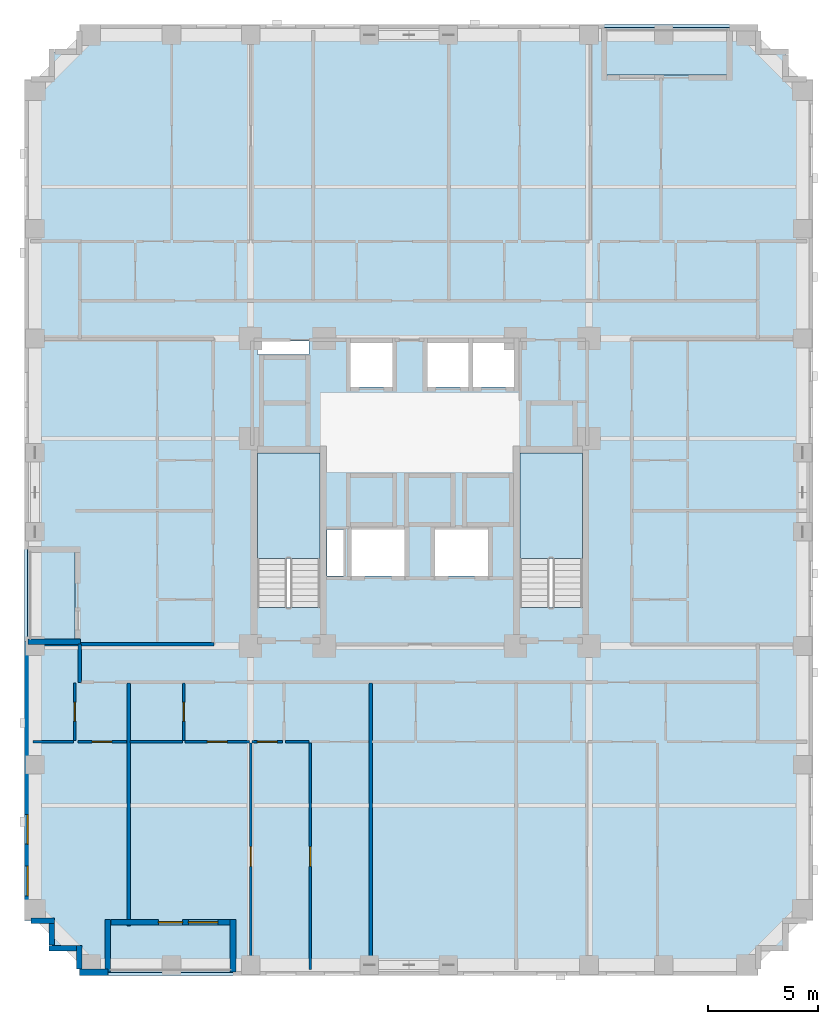
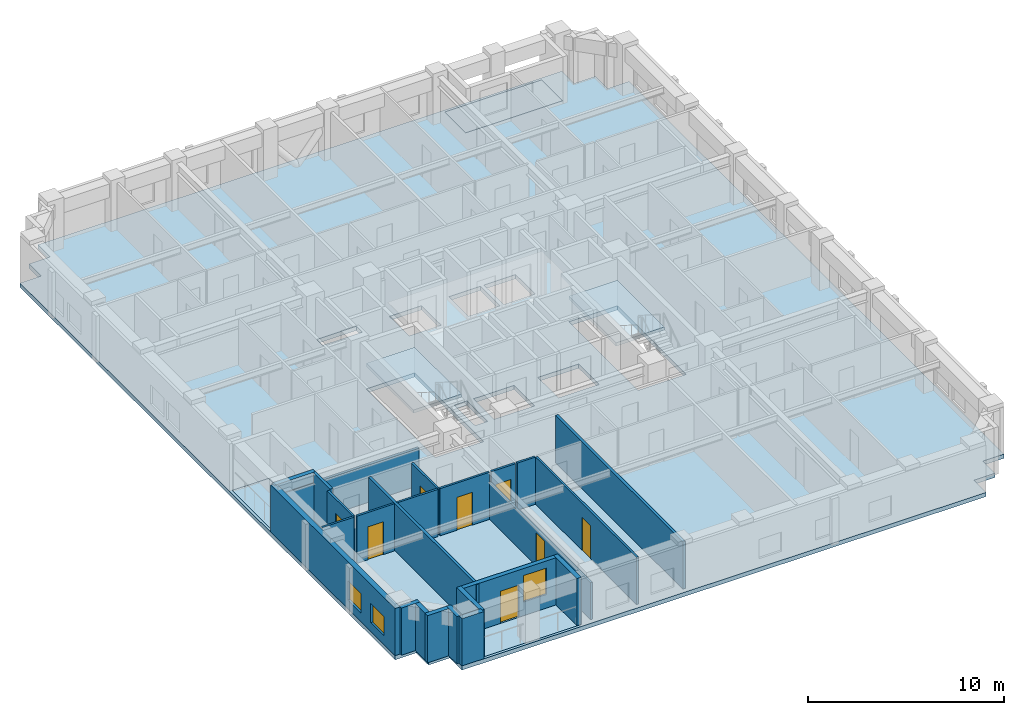
# One storey, part 2 of 12: 24 walls, 8 doors, 6 slabs, 3 windows, 11 openings, 2 elements without a shape of their own.
"""IFC4 building model written with IfcOpenShell, lengths in metres."""

from ifc_helpers import new_model, si_unit, derived_unit, direction, frame, frame_2d, origin, place, context, subcontext, project, spatial, polyline, rectangle, outline, extrude, material, layer, layer_set, type_object, element, fill, aggregate, save


model = new_model("IFC4")

# Units and contexts
model_context = context("Model", 3, precision=1e-05, world=origin(), true_north=direction((0.0, 1.0)))
body_context = subcontext(model_context, "Body", "Model", "MODEL_VIEW")
ifc_project = project(units=[si_unit("LENGTHUNIT", "METRE"), si_unit("AREAUNIT", "SQUARE_METRE"), si_unit("VOLUMEUNIT", "CUBIC_METRE"), si_unit("PLANEANGLEUNIT", "RADIAN"), si_unit("MASSUNIT", "GRAM", prefix="KILO"), derived_unit("THERMALTRANSMITTANCEUNIT", [(si_unit("MASSUNIT", "GRAM", prefix="KILO"), 1), (si_unit("TIMEUNIT", "SECOND"), -3), (si_unit("THERMODYNAMICTEMPERATUREUNIT", "KELVIN"), -1)])], contexts=[model_context])

# Site, building, storey
site_placement = place(None, origin())
site = spatial("IfcSite", under=ifc_project, at=site_placement, CompositionType="ELEMENT")
building_placement = place(site_placement, origin())
building = spatial("IfcBuilding", under=site, at=building_placement, Name="Korrvale Station Residences", CompositionType="ELEMENT")
storey_placement = place(building_placement, frame((0.0, 0.0, 91.10009765625)))
storey = spatial("IfcBuildingStorey", under=building, at=storey_placement, Name="L25", CompositionType="ELEMENT", Elevation=91.10009765625)

# Slabs
ifc_material_1 = material(Name="Concrete C50/60", Category="concrete")
ifc_layer_1 = layer(ifc_material_1, 0.219970703125, Name="Concrete C50/60")
ifc_layer_set_1 = layer_set([ifc_layer_1], Name="Concrete C50/60")
slab_type_1 = type_object("IfcSlabType", Name="SLB-BAL-220", PredefinedType="FLOOR", material=ifc_layer_set_1)
slab_1_placement = place(storey_placement, frame((0.0, 0.0, -0.22021484375)))
element("IfcSlab", 1, at=slab_1_placement, inside=storey, type_object=slab_type_1, Name="L25 Recessed Loggia Balcony Slab BAL-L25-S1", PredefinedType="FLOOR", context=body_context, shape_type="SweptSolid", body=[
    extrude(outline(polyline([(11.300048828125, 0.14990234375), (17.0, 0.14990234375), (17.0, 2.300048828125), (11.300048828125, 2.300048828125), (11.300048828125, 0.14990234375)])), origin(), (0.0, 0.0, 1.0), 0.22021484375),
])
slab_2_placement = place(storey_placement, frame((0.0, 0.0, -0.22021484375)))
element("IfcSlab", 2, at=slab_2_placement, inside=storey, type_object=slab_type_1, Name="L25 Recessed Loggia Balcony Slab BAL-L25-N1", PredefinedType="FLOOR", context=body_context, shape_type="SweptSolid", body=[
    extrude(outline(polyline([(33.89990234375, 41.0), (39.60009765625, 41.0), (39.60009765625, 43.14990234375), (33.89990234375, 43.14990234375), (33.89990234375, 41.0)])), origin(), (0.0, 0.0, 1.0), 0.22021484375),
])
slab_3_placement = place(storey_placement, frame((0.0, 0.0, -0.22021484375)))
element("IfcSlab", 3, at=slab_3_placement, inside=storey, type_object=slab_type_1, Name="L25 Recessed Loggia Balcony Slab BAL-L25-W1", PredefinedType="FLOOR", context=body_context, shape_type="SweptSolid", body=[
    extrude(outline(polyline([(7.64990234375, 15.199951171875), (9.800048828125, 15.199951171875), (9.800048828125, 19.39990234375), (7.64990234375, 19.39990234375), (7.64990234375, 15.199951171875)])), origin(), (0.0, 0.0, 1.0), 0.22021484375),
])
ifc_layer_2 = layer(ifc_material_1, 0.260009765625, Name="Concrete C50/60")
ifc_layer_set_2 = layer_set([ifc_layer_2], Name="Concrete C50/60")
slab_type_2 = type_object("IfcSlabType", Name="SLB-FLR-260", PredefinedType="FLOOR", material=ifc_layer_set_2)
slab_4_placement = place(storey_placement, frame((0.0, 0.0, -0.260009765625)))
element("IfcSlab", 4, at=slab_4_placement, inside=storey, type_object=slab_type_2, Name="L25 Suspended Structural Floor Slab", PredefinedType="FLOOR", context=body_context, shape_type="SweptSolid", body=[
    extrude(outline(polyline([(10.0, 0.0), (40.89990234375, 0.0), (40.89990234375, 1.25), (42.14990234375, 1.25), (42.14990234375, 2.5), (43.39990234375, 2.5), (43.39990234375, 40.800048828125), (42.14990234375, 40.800048828125), (42.14990234375, 42.050048828125), (40.89990234375, 42.050048828125), (40.89990234375, 43.300048828125), (10.0, 43.300048828125), (10.0, 42.050048828125), (8.75, 42.050048828125), (8.75, 40.800048828125), (7.5, 40.800048828125), (7.5, 2.5), (8.75, 2.5), (8.75, 1.25), (10.0, 1.25), (10.0, 0.0)]), holes=[polyline([(20.949951171875, 16.751953125), (20.949951171875, 23.800048828125), (18.10009765625, 23.800048828125), (18.10009765625, 16.751953125), (20.949951171875, 16.751953125)]), polyline([(32.89990234375, 16.751953125), (32.89990234375, 23.800048828125), (30.050048828125, 23.800048828125), (30.050048828125, 16.751953125), (32.89990234375, 16.751953125)]), polyline([(22.35009765625, 26.800048828125), (24.25, 26.800048828125), (24.25, 28.800048828125), (22.35009765625, 28.800048828125), (22.35009765625, 26.800048828125)]), polyline([(25.85009765625, 26.800048828125), (27.7099609375, 26.800048828125), (27.7099609375, 28.800048828125), (25.85009765625, 28.800048828125), (25.85009765625, 26.800048828125)]), polyline([(27.929931640625, 26.800048828125), (29.7900390625, 26.800048828125), (29.7900390625, 28.800048828125), (27.929931640625, 28.800048828125), (27.929931640625, 26.800048828125)]), polyline([(22.39990234375, 18.199951171875), (24.800048828125, 18.199951171875), (24.800048828125, 20.300048828125), (22.39990234375, 20.300048828125), (22.39990234375, 18.199951171875)]), polyline([(26.199951171875, 18.199951171875), (28.60009765625, 18.199951171875), (28.60009765625, 20.300048828125), (26.199951171875, 20.300048828125), (26.199951171875, 18.199951171875)]), polyline([(18.10009765625, 28.280029296875), (20.449951171875, 28.280029296875), (20.449951171875, 28.8798828125), (18.10009765625, 28.8798828125), (18.10009765625, 28.280029296875)]), polyline([(21.280029296875, 18.199951171875), (22.02001953125, 18.199951171875), (22.02001953125, 20.300048828125), (21.280029296875, 20.300048828125), (21.280029296875, 18.199951171875)]), polyline([(11.300048828125, 0.14990234375), (17.0, 0.14990234375), (17.0, 2.300048828125), (11.300048828125, 2.300048828125), (11.300048828125, 0.14990234375)]), polyline([(33.89990234375, 41.0), (39.60009765625, 41.0), (39.60009765625, 43.14990234375), (33.89990234375, 43.14990234375), (33.89990234375, 41.0)]), polyline([(7.64990234375, 15.199951171875), (9.800048828125, 15.199951171875), (9.800048828125, 19.39990234375), (7.64990234375, 19.39990234375), (7.64990234375, 15.199951171875)])]), origin(), (0.0, 0.0, 1.0), 0.260009765625),
])

# Stair, slab
stair_type = type_object("IfcStairType", Name="STR-DL-1350-18R-1778", PredefinedType="HALF_TURN_STAIR", material=ifc_material_1)
stair_1_placement = place(storey_placement, origin())
stair_1 = element("IfcStair", 5, at=stair_1_placement, inside=storey, type_object=stair_type, Name="L25 Exit Stair 1", PredefinedType="HALF_TURN_STAIR")
ifc_layer_3 = layer(ifc_material_1, 0.199951171875, Name="Concrete C50/60")
ifc_layer_set_3 = layer_set([ifc_layer_3], Name="Concrete C50/60")
slab_type_3 = type_object("IfcSlabType", Name="SLB-LND-200", PredefinedType="LANDING", material=ifc_layer_set_3)
slab_5_placement = place(storey_placement, frame((0.0, 0.0, 1.39990234375)))
slab_5 = element("IfcSlab", 6, at=slab_5_placement, type_object=slab_type_3, Name="ST-1 landing 1", PredefinedType="LANDING", context=body_context, shape_type="SweptSolid", body=[
    extrude(outline(polyline([(20.949951171875, 18.989990234375), (20.949951171875, 23.800048828125), (18.10009765625, 23.800048828125), (18.10009765625, 18.989990234375), (20.949951171875, 18.989990234375)])), origin(), (0.0, 0.0, 1.0), 0.199951171875),
])
aggregate(stair_1, [slab_5])

stair_2_placement = place(storey_placement, origin())
stair_2 = element("IfcStair", 7, at=stair_2_placement, inside=storey, type_object=stair_type, Name="L25 Exit Stair 2", PredefinedType="HALF_TURN_STAIR")
slab_6_placement = place(storey_placement, frame((0.0, 0.0, 1.39990234375)))
slab_6 = element("IfcSlab", 8, at=slab_6_placement, type_object=slab_type_3, Name="ST-2 landing 1", PredefinedType="LANDING", context=body_context, shape_type="SweptSolid", body=[
    extrude(outline(polyline([(32.89990234375, 18.989990234375), (32.89990234375, 23.800048828125), (30.050048828125, 23.800048828125), (30.050048828125, 18.989990234375), (32.89990234375, 18.989990234375)])), origin(), (0.0, 0.0, 1.0), 0.199951171875),
])
aggregate(stair_2, [slab_6])

# Wall
ifc_material_2 = material(Name="Precast concrete C45/55", Category="concrete")
ifc_layer_4 = layer(ifc_material_2, 0.260009765625, Name="Precast concrete C45/55")
ifc_layer_set_4 = layer_set([ifc_layer_4], Name="Precast concrete C45/55")
wall_type_1 = type_object("IfcWallType", Name="WAL-EXT-LOG260", PredefinedType="SOLIDWALL", material=ifc_layer_set_4)
wall_1_placement = place(storey_placement, frame((17.0, 0.159912109375, 0.0), z_axis=(0.0, 0.0, 1.0), x_axis=(0.0, 1.0, 0.0)))
element("IfcWall", 9, at=wall_1_placement, inside=storey, type_object=wall_type_1, Name="L25 Recessed Loggia Wall BAL-L25-S1-L", PredefinedType="SOLIDWALL", context=body_context, shape_type="SweptSolid", body=[
    extrude(rectangle(XDim=2.400146484375, YDim=0.260009765625, at=frame_2d((1.2001953125, 0.0))), origin(), (0.0, 0.0, 1.0), 2.93994140625),
])

# Wall, openings, door, window
wall_2_placement = place(storey_placement, frame((16.865966796875, 2.429931640625, 0.0), z_axis=(0.0, 0.0, 1.0), x_axis=(-1.0, 0.0, 0.0)))
wall_2 = element("IfcWall", 10, at=wall_2_placement, inside=storey, type_object=wall_type_1, Name="L25 Recessed Loggia Wall BAL-L25-S1-B", PredefinedType="SOLIDWALL", context=body_context, shape_type="SweptSolid", body=[
    extrude(rectangle(XDim=5.431884765625, YDim=0.260009765625, at=frame_2d((2.7158203125, 0.0))), origin(), (0.0, 0.0, 1.0), 2.93994140625),
])
opening_1_placement = place(wall_2_placement, frame((2.166015625, 0.0, 0.0)))
opening_1 = element("IfcOpeningElement", 11, at=opening_1_placement, cuts=wall_2, Name="Opening BD-01", PredefinedType="OPENING", context=body_context, shape_type="SweptSolid", body=[
    extrude(rectangle(XDim=1.10009765625, YDim=2.0, at=frame_2d((0.550048828125, 1.0))), frame((0.0, 0.14013671875, 0.0), z_axis=(0.0, -1.0, 0.0), x_axis=(1.0, 0.0, 0.0)), (0.0, 0.0, 1.0), 0.280029296875),
])
opening_2_placement = place(wall_2_placement, frame((0.555908203125, 0.0, 0.85009765625)))
opening_2 = element("IfcOpeningElement", 12, at=opening_2_placement, cuts=wall_2, Name="Opening W-06", PredefinedType="OPENING", context=body_context, shape_type="SweptSolid", body=[
    extrude(rectangle(XDim=1.35009765625, YDim=1.64990234375, at=frame_2d((0.675048828125, 0.824951171875))), frame((0.0, 0.14013671875, 0.0), z_axis=(0.0, -1.0, 0.0), x_axis=(1.0, 0.0, 0.0)), (0.0, 0.0, 1.0), 0.280029296875),
])
ifc_material_3 = material(Name="Exterior thermally broken aluminium glazed balcony door", Category="aluminium")
door_type_1 = type_object("IfcDoorType", Name="DR-EXT-BAL", OperationType="NOTDEFINED", PredefinedType="DOOR", material=ifc_material_3)
door_1_placement = place(opening_1_placement, origin())
door_1 = element("IfcDoor", 13, at=door_1_placement, inside=storey, type_object=door_type_1, Name="L25 Loggia Balcony Door BAL-L25-S1", OperationType="SINGLE_SWING_LEFT", OverallHeight=2.0, OverallWidth=1.10009765625, PredefinedType="DOOR", context=body_context, shape_type="SweptSolid", body=[
    extrude(rectangle(XDim=1.10009765625, YDim=2.0, at=frame_2d((0.550048828125, 1.0))), frame((0.0, 0.02490234375, 0.0), z_axis=(0.0, -1.0, 0.0), x_axis=(1.0, 0.0, 0.0)), (0.0, 0.0, 1.0), 0.050048828125),
])
fill(opening_1, door_1)
ifc_material_4 = material(Name="Thermally broken aluminium frame with triple low-e glazing", Category="aluminium")
window_type_1 = type_object("IfcWindowType", Name="WIN-W06", PartitioningType="SINGLE_PANEL", PredefinedType="WINDOW", material=ifc_material_4)
window_1_placement = place(opening_2_placement, origin())
window_1 = element("IfcWindow", 14, at=window_1_placement, inside=storey, type_object=window_type_1, Name="L25 Punched Window 03", OverallHeight=1.64990234375, OverallWidth=1.35009765625, PartitioningType="SINGLE_PANEL", PredefinedType="WINDOW", context=body_context, shape_type="SweptSolid", body=[
    extrude(rectangle(XDim=1.35009765625, YDim=1.64990234375, at=frame_2d((0.675048828125, 0.824951171875))), frame((0.0, 0.030029296875, 0.0), z_axis=(0.0, -1.0, 0.0), x_axis=(1.0, 0.0, 0.0)), (0.0, 0.0, 1.0), 0.06005859375),
])
fill(opening_2, window_1)

# Walls
for number, where, z_axis, x_axis, name in (
    (15, (11.300048828125, 2.56005859375, 0.0), (0.0, 0.0, 1.0), (0.0, -1.0, 0.0), "L25 Recessed Loggia Wall BAL-L25-S1-R"),
    (16, (7.659912109375, 15.199951171875, 0.0), (0.0, 0.0, 1.0), (1.0, 0.0, 0.0), "L25 Recessed Loggia Wall BAL-L25-W1-L"),
):
    element("IfcWall", number, at=place(storey_placement, frame(where, z_axis=z_axis, x_axis=x_axis)), inside=storey, type_object=wall_type_1, Name=name, PredefinedType="SOLIDWALL", context=body_context, shape_type="SweptSolid", body=[
        extrude(rectangle(XDim=2.400146484375, YDim=0.260009765625, at=frame_2d((1.2001953125, 0.0))), origin(), (0.0, 0.0, 1.0), 2.93994140625),
    ])
wall_3_placement = place(storey_placement, frame((10.0, 0.302001953125, 0.0), z_axis=(0.0, 0.0, 1.0), x_axis=(0.0, 1.0, 0.0)))
element("IfcWall", 17, at=wall_3_placement, inside=storey, type_object=wall_type_1, Name="L25 Serrated Corner Precast Step SW-1", PredefinedType="SOLIDWALL", context=body_context, shape_type="SweptSolid", body=[
    extrude(rectangle(XDim=1.077880859375, YDim=0.260009765625, at=frame_2d((0.5390625, 0.0))), origin(), (0.0, 0.0, 1.0), 2.93994140625),
])
wall_4_placement = place(storey_placement, frame((9.867919921875, 1.25, 0.0), z_axis=(0.0, 0.0, 1.0), x_axis=(-1.0, 0.0, 0.0)))
element("IfcWall", 18, at=wall_4_placement, inside=storey, type_object=wall_type_1, Name="L25 Serrated Corner Precast Step SW-2", PredefinedType="SOLIDWALL", context=body_context, shape_type="SweptSolid", body=[
    extrude(rectangle(XDim=1.247802734375, YDim=0.260009765625, at=frame_2d((0.6240234375, 0.0))), origin(), (0.0, 0.0, 1.0), 2.93994140625),
])
wall_5_placement = place(storey_placement, frame((8.75, 1.382080078125, 0.0), z_axis=(0.0, 0.0, 1.0), x_axis=(0.0, 1.0, 0.0)))
element("IfcWall", 19, at=wall_5_placement, inside=storey, type_object=wall_type_1, Name="L25 Serrated Corner Precast Step SW-3", PredefinedType="SOLIDWALL", context=body_context, shape_type="SweptSolid", body=[
    extrude(rectangle(XDim=0.98583984375, YDim=0.260009765625, at=frame_2d((0.492919921875, 0.0))), origin(), (0.0, 0.0, 1.0), 2.93994140625),
])
wall_6_placement = place(storey_placement, frame((8.8798828125, 2.5, 0.0), z_axis=(0.0, 0.0, 1.0), x_axis=(-1.0, 0.0, 0.0)))
element("IfcWall", 20, at=wall_6_placement, inside=storey, type_object=wall_type_1, Name="L25 Serrated Corner Precast Step SW-4", PredefinedType="SOLIDWALL", context=body_context, shape_type="SweptSolid", body=[
    extrude(rectangle(XDim=1.077880859375, YDim=0.260009765625, at=frame_2d((0.5390625, 0.0))), origin(), (0.0, 0.0, 1.0), 2.93994140625),
])
ifc_layer_5 = layer(ifc_material_2, 0.300048828125, Name="Precast concrete C45/55")
ifc_layer_set_5 = layer_set([ifc_layer_5], Name="Precast concrete C45/55")
wall_type_2 = type_object("IfcWallType", Name="WAL-EXT-PC300", PredefinedType="SOLIDWALL", material=ifc_layer_set_5)
wall_7_placement = place(storey_placement, frame((11.300048828125, 0.14990234375, 0.0), z_axis=(0.0, 0.0, 1.0), x_axis=(-1.0, 0.0, 0.0)))
element("IfcWall", 21, at=wall_7_placement, inside=storey, type_object=wall_type_2, Name="L25 South Exterior Precast Wall 2", PredefinedType="SOLIDWALL", context=body_context, shape_type="SweptSolid", body=[
    extrude(rectangle(XDim=1.300048828125, YDim=0.300048828125, at=frame_2d((0.64990234375, 0.0))), origin(), (0.0, 0.0, 1.0), 2.93994140625),
])

# Wall, openings, windows
wall_8_placement = place(storey_placement, frame((7.64990234375, 2.5, 0.0), z_axis=(0.0, 0.0, 1.0), x_axis=(0.0, 1.0, 0.0)))
wall_8 = element("IfcWall", 22, at=wall_8_placement, inside=storey, type_object=wall_type_2, Name="L25 West Exterior Precast Wall 1", PredefinedType="SOLIDWALL", context=body_context, shape_type="SweptSolid", body=[
    extrude(rectangle(XDim=12.699951171875, YDim=0.300048828125, at=frame_2d((6.35009765625, 0.0))), origin(), (0.0, 0.0, 1.0), 2.93994140625),
])
opening_3_placement = place(wall_8_placement, frame((3.48193359375, 0.0, 0.550048828125)))
opening_3 = element("IfcOpeningElement", 23, at=opening_3_placement, cuts=wall_8, Name="Opening W-10", PredefinedType="OPENING", context=body_context, shape_type="SweptSolid", body=[
    extrude(rectangle(XDim=1.35009765625, YDim=1.199951171875, at=frame_2d((0.675048828125, 0.60009765625))), frame((0.0, 0.16015625, 0.0), z_axis=(0.0, -1.0, 0.0), x_axis=(1.0, 0.0, 0.0)), (0.0, 0.0, 1.0), 0.320068359375),
])
opening_4_placement = place(wall_8_placement, frame((1.135009765625, 0.0, 0.550048828125)))
opening_4 = element("IfcOpeningElement", 24, at=opening_4_placement, cuts=wall_8, Name="Opening W-10", PredefinedType="OPENING", context=body_context, shape_type="SweptSolid", body=[
    extrude(rectangle(XDim=1.35009765625, YDim=1.199951171875, at=frame_2d((0.675048828125, 0.60009765625))), frame((0.0, 0.16015625, 0.0), z_axis=(0.0, -1.0, 0.0), x_axis=(1.0, 0.0, 0.0)), (0.0, 0.0, 1.0), 0.320068359375),
])
window_type_2 = type_object("IfcWindowType", Name="WIN-W10", PartitioningType="SINGLE_PANEL", PredefinedType="WINDOW", material=ifc_material_4)
window_2_placement = place(opening_3_placement, origin())
window_2 = element("IfcWindow", 25, at=window_2_placement, inside=storey, type_object=window_type_2, Name="L25 Punched Window 01", OverallHeight=1.199951171875, OverallWidth=1.35009765625, PartitioningType="SINGLE_PANEL", PredefinedType="WINDOW", context=body_context, shape_type="SweptSolid", body=[
    extrude(rectangle(XDim=1.35009765625, YDim=1.199951171875, at=frame_2d((0.675048828125, 0.60009765625))), frame((0.0, 0.030029296875, 0.0), z_axis=(0.0, -1.0, 0.0), x_axis=(1.0, 0.0, 0.0)), (0.0, 0.0, 1.0), 0.06005859375),
])
fill(opening_3, window_2)
window_3_placement = place(opening_4_placement, origin())
window_3 = element("IfcWindow", 26, at=window_3_placement, inside=storey, type_object=window_type_2, Name="L25 Punched Window 02", OverallHeight=1.199951171875, OverallWidth=1.35009765625, PartitioningType="SINGLE_PANEL", PredefinedType="WINDOW", context=body_context, shape_type="SweptSolid", body=[
    extrude(rectangle(XDim=1.35009765625, YDim=1.199951171875, at=frame_2d((0.675048828125, 0.60009765625))), frame((0.0, 0.030029296875, 0.0), z_axis=(0.0, -1.0, 0.0), x_axis=(1.0, 0.0, 0.0)), (0.0, 0.0, 1.0), 0.06005859375),
])
fill(opening_4, window_3)

# Wall, opening, door
ifc_material_5 = material(Name="Acoustic steel-stud gypsum board partition", Category="steel")
ifc_layer_6 = layer(ifc_material_5, 0.1201171875, Name="Acoustic steel-stud gypsum board partition")
ifc_layer_set_6 = layer_set([ifc_layer_6], Name="Acoustic steel-stud gypsum board partition")
wall_type_3 = type_object("IfcWallType", Name="WAL-PART-125", PredefinedType="PARTITIONING", material=ifc_layer_set_6)
wall_9_placement = place(storey_placement, frame((9.800048828125, 10.7099609375, 0.0), z_axis=(0.0, 0.0, 1.0), x_axis=(0.0, 1.0, 0.0)))
wall_9 = element("IfcWall", 27, at=wall_9_placement, inside=storey, type_object=wall_type_3, Name="L25 Suite Partition U01-V01", PredefinedType="PARTITIONING", context=body_context, shape_type="SweptSolid", body=[
    extrude(rectangle(XDim=2.60009765625, YDim=0.1201171875, at=frame_2d((1.300048828125, 0.0))), origin(), (0.0, 0.0, 1.0), 2.93994140625),
])
opening_5_placement = place(wall_9_placement, frame((0.8701171875, 0.0, 0.0)))
opening_5 = element("IfcOpeningElement", 28, at=opening_5_placement, cuts=wall_9, Name="Opening DB-860", PredefinedType="OPENING", context=body_context, shape_type="SweptSolid", body=[
    extrude(rectangle(XDim=0.860107421875, YDim=2.050048828125, at=frame_2d((0.43017578125, 1.02490234375))), frame((0.0, 0.070068359375, 0.0), z_axis=(0.0, -1.0, 0.0), x_axis=(1.0, 0.0, 0.0)), (0.0, 0.0, 1.0), 0.14013671875),
])
ifc_material_6 = material(Name="Moisture-resistant solid-core bathroom door", Category="timber")
door_type_2 = type_object("IfcDoorType", Name="DR-BATH-860", OperationType="NOTDEFINED", PredefinedType="DOOR", material=ifc_material_6)
door_2_placement = place(opening_5_placement, origin())
door_2 = element("IfcDoor", 29, at=door_2_placement, inside=storey, type_object=door_type_2, Name="L25 Studio Apartment L25-U01 Bathroom Door", OperationType="SINGLE_SWING_RIGHT", OverallHeight=2.050048828125, OverallWidth=0.860107421875, PredefinedType="DOOR", context=body_context, shape_type="SweptSolid", body=[
    extrude(rectangle(XDim=0.860107421875, YDim=2.050048828125, at=frame_2d((0.43017578125, 1.02490234375))), frame((0.0, 0.02490234375, 0.0), z_axis=(0.0, -1.0, 0.0), x_axis=(1.0, 0.0, 0.0)), (0.0, 0.0, 1.0), 0.050048828125),
])
fill(opening_5, door_2)

# Wall
wall_10_placement = place(storey_placement, frame((7.889892578125, 10.64990234375, 0.0), z_axis=(0.0, 0.0, 1.0), x_axis=(1.0, 0.0, 0.0)))
element("IfcWall", 30, at=wall_10_placement, inside=storey, type_object=wall_type_3, Name="L25 Suite Partition U01-H02", PredefinedType="PARTITIONING", context=body_context, shape_type="SweptSolid", body=[
    extrude(rectangle(XDim=1.85009765625, YDim=0.1201171875, at=frame_2d((0.925048828125, 0.0))), origin(), (0.0, 0.0, 1.0), 2.93994140625),
])

# Wall, opening, door
wall_11_placement = place(storey_placement, frame((9.929931640625, 10.64990234375, 0.0), z_axis=(0.0, 0.0, 1.0), x_axis=(1.0, 0.0, 0.0)))
wall_11 = element("IfcWall", 31, at=wall_11_placement, inside=storey, type_object=wall_type_3, Name="L25 Suite Partition U01-H12", PredefinedType="PARTITIONING", context=body_context, shape_type="SweptSolid", body=[
    extrude(rectangle(XDim=2.2099609375, YDim=0.1201171875, at=frame_2d((1.10498046875, 0.0))), origin(), (0.0, 0.0, 1.0), 2.93994140625),
])
opening_6_placement = place(wall_11_placement, frame((0.655029296875, 0.0, 0.0)))
opening_6 = element("IfcOpeningElement", 32, at=opening_6_placement, cuts=wall_11, Name="Opening DI-900", PredefinedType="OPENING", context=body_context, shape_type="SweptSolid", body=[
    extrude(rectangle(XDim=0.89990234375, YDim=2.050048828125, at=frame_2d((0.449951171875, 1.02490234375))), frame((0.0, 0.070068359375, 0.0), z_axis=(0.0, -1.0, 0.0), x_axis=(1.0, 0.0, 0.0)), (0.0, 0.0, 1.0), 0.14013671875),
])
ifc_material_7 = material(Name="Painted solid-core timber interior room door", Category="wood")
door_type_3 = type_object("IfcDoorType", Name="DR-INT-900", OperationType="NOTDEFINED", PredefinedType="DOOR", material=ifc_material_7)
door_3_placement = place(opening_6_placement, origin())
door_3 = element("IfcDoor", 33, at=door_3_placement, inside=storey, type_object=door_type_3, Name="L25 Studio Apartment L25-U01 Kitchen Door", OperationType="SINGLE_SWING_LEFT", OverallHeight=2.050048828125, OverallWidth=0.89990234375, PredefinedType="DOOR", context=body_context, shape_type="SweptSolid", body=[
    extrude(rectangle(XDim=0.89990234375, YDim=2.050048828125, at=frame_2d((0.449951171875, 1.02490234375))), frame((0.0, 0.02490234375, 0.0), z_axis=(0.0, -1.0, 0.0), x_axis=(1.0, 0.0, 0.0)), (0.0, 0.0, 1.0), 0.050048828125),
])
fill(opening_6, door_3)

wall_12_placement = place(storey_placement, frame((14.760009765625, 10.7099609375, 0.0), z_axis=(0.0, 0.0, 1.0), x_axis=(0.0, 1.0, 0.0)))
wall_12 = element("IfcWall", 34, at=wall_12_placement, inside=storey, type_object=wall_type_3, Name="L25 Suite Partition U02-V01", PredefinedType="PARTITIONING", context=body_context, shape_type="SweptSolid", body=[
    extrude(rectangle(XDim=2.60009765625, YDim=0.1201171875, at=frame_2d((1.300048828125, 0.0))), origin(), (0.0, 0.0, 1.0), 2.93994140625),
])
opening_7_placement = place(wall_12_placement, frame((0.8701171875, 0.0, 0.0)))
opening_7 = element("IfcOpeningElement", 35, at=opening_7_placement, cuts=wall_12, Name="Opening DB-860", PredefinedType="OPENING", context=body_context, shape_type="SweptSolid", body=[
    extrude(rectangle(XDim=0.860107421875, YDim=2.050048828125, at=frame_2d((0.43017578125, 1.02490234375))), frame((0.0, 0.070068359375, 0.0), z_axis=(0.0, -1.0, 0.0), x_axis=(1.0, 0.0, 0.0)), (0.0, 0.0, 1.0), 0.14013671875),
])
door_4_placement = place(opening_7_placement, origin())
door_4 = element("IfcDoor", 36, at=door_4_placement, inside=storey, type_object=door_type_2, Name="L25 Apartment 2BR L25-U02 Bathroom Door", OperationType="SINGLE_SWING_RIGHT", OverallHeight=2.050048828125, OverallWidth=0.860107421875, PredefinedType="DOOR", context=body_context, shape_type="SweptSolid", body=[
    extrude(rectangle(XDim=0.860107421875, YDim=2.050048828125, at=frame_2d((0.43017578125, 1.02490234375))), frame((0.0, 0.02490234375, 0.0), z_axis=(0.0, -1.0, 0.0), x_axis=(1.0, 0.0, 0.0)), (0.0, 0.0, 1.0), 0.050048828125),
])
fill(opening_7, door_4)

# Wall
wall_13_placement = place(storey_placement, frame((12.300048828125, 10.64990234375, 0.0), z_axis=(0.0, 0.0, 1.0), x_axis=(1.0, 0.0, 0.0)))
element("IfcWall", 37, at=wall_13_placement, inside=storey, type_object=wall_type_3, Name="L25 Suite Partition U02-H03", PredefinedType="PARTITIONING", context=body_context, shape_type="SweptSolid", body=[
    extrude(rectangle(XDim=2.39990234375, YDim=0.1201171875, at=frame_2d((1.199951171875, 0.0))), origin(), (0.0, 0.0, 1.0), 2.93994140625),
])

# Wall, opening, door
wall_14_placement = place(storey_placement, frame((14.820068359375, 10.64990234375, 0.0), z_axis=(0.0, 0.0, 1.0), x_axis=(1.0, 0.0, 0.0)))
wall_14 = element("IfcWall", 38, at=wall_14_placement, inside=storey, type_object=wall_type_3, Name="L25 Suite Partition U02-H13", PredefinedType="PARTITIONING", context=body_context, shape_type="SweptSolid", body=[
    extrude(rectangle(XDim=2.919921875, YDim=0.1201171875, at=frame_2d((1.4599609375, 0.0))), origin(), (0.0, 0.0, 1.0), 2.93994140625),
])
opening_8_placement = place(wall_14_placement, frame((1.010009765625, 0.0, 0.0)))
opening_8 = element("IfcOpeningElement", 39, at=opening_8_placement, cuts=wall_14, Name="Opening DI-900", PredefinedType="OPENING", context=body_context, shape_type="SweptSolid", body=[
    extrude(rectangle(XDim=0.89990234375, YDim=2.050048828125, at=frame_2d((0.449951171875, 1.02490234375))), frame((0.0, 0.070068359375, 0.0), z_axis=(0.0, -1.0, 0.0), x_axis=(1.0, 0.0, 0.0)), (0.0, 0.0, 1.0), 0.14013671875),
])
door_5_placement = place(opening_8_placement, origin())
door_5 = element("IfcDoor", 40, at=door_5_placement, inside=storey, type_object=door_type_3, Name="L25 Apartment 2BR L25-U02 Kitchen Door", OperationType="SINGLE_SWING_RIGHT", OverallHeight=2.050048828125, OverallWidth=0.89990234375, PredefinedType="DOOR", context=body_context, shape_type="SweptSolid", body=[
    extrude(rectangle(XDim=0.89990234375, YDim=2.050048828125, at=frame_2d((0.449951171875, 1.02490234375))), frame((0.0, 0.02490234375, 0.0), z_axis=(0.0, -1.0, 0.0), x_axis=(1.0, 0.0, 0.0)), (0.0, 0.0, 1.0), 0.050048828125),
])
fill(opening_8, door_5)

wall_15_placement = place(storey_placement, frame((17.860107421875, 10.64990234375, 0.0), z_axis=(0.0, 0.0, 1.0), x_axis=(1.0, 0.0, 0.0)))
wall_15 = element("IfcWall", 41, at=wall_15_placement, inside=storey, type_object=wall_type_3, Name="L25 Suite Partition U02-H14", PredefinedType="PARTITIONING", context=body_context, shape_type="SweptSolid", body=[
    extrude(rectangle(XDim=1.39990234375, YDim=0.1201171875, at=frame_2d((0.699951171875, 0.0))), origin(), (0.0, 0.0, 1.0), 2.93994140625),
])
opening_9_placement = place(wall_15_placement, frame((0.25, 0.0, 0.0)))
opening_9 = element("IfcOpeningElement", 42, at=opening_9_placement, cuts=wall_15, Name="Opening DI-900", PredefinedType="OPENING", context=body_context, shape_type="SweptSolid", body=[
    extrude(rectangle(XDim=0.89990234375, YDim=2.050048828125, at=frame_2d((0.449951171875, 1.02490234375))), frame((0.0, 0.070068359375, 0.0), z_axis=(0.0, -1.0, 0.0), x_axis=(1.0, 0.0, 0.0)), (0.0, 0.0, 1.0), 0.14013671875),
])
door_6_placement = place(opening_9_placement, origin())
door_6 = element("IfcDoor", 43, at=door_6_placement, inside=storey, type_object=door_type_3, Name="L25 Apartment 2BR L25-U02 Kitchen Door", OperationType="SINGLE_SWING_LEFT", OverallHeight=2.050048828125, OverallWidth=0.89990234375, PredefinedType="DOOR", context=body_context, shape_type="SweptSolid", body=[
    extrude(rectangle(XDim=0.89990234375, YDim=2.050048828125, at=frame_2d((0.449951171875, 1.02490234375))), frame((0.0, 0.02490234375, 0.0), z_axis=(0.0, -1.0, 0.0), x_axis=(1.0, 0.0, 0.0)), (0.0, 0.0, 1.0), 0.050048828125),
])
fill(opening_9, door_6)

# Wall
wall_16_placement = place(storey_placement, frame((19.3798828125, 10.64990234375, 0.0), z_axis=(0.0, 0.0, 1.0), x_axis=(1.0, 0.0, 0.0)))
element("IfcWall", 44, at=wall_16_placement, inside=storey, type_object=wall_type_3, Name="L25 Suite Partition U02-H24", PredefinedType="PARTITIONING", context=body_context, shape_type="SweptSolid", body=[
    extrude(rectangle(XDim=1.072998046875, YDim=0.1201171875, at=frame_2d((0.53662109375, 0.0))), origin(), (0.0, 0.0, 1.0), 2.93994140625),
])

# Wall, opening, door
wall_17_placement = place(storey_placement, frame((17.800048828125, 0.280029296875, 0.0), z_axis=(0.0, 0.0, 1.0), x_axis=(0.0, 1.0, 0.0)))
wall_17 = element("IfcWall", 45, at=wall_17_placement, inside=storey, type_object=wall_type_3, Name="L25 Suite Partition U02-V34", PredefinedType="PARTITIONING", context=body_context, shape_type="SweptSolid", body=[
    extrude(rectangle(XDim=10.31005859375, YDim=0.1201171875, at=frame_2d((5.155029296875, 0.0))), origin(), (0.0, 0.0, 1.0), 2.308837890625),
])
opening_10_placement = place(wall_17_placement, frame((4.68994140625, 0.0, 0.0)))
opening_10 = element("IfcOpeningElement", 46, at=opening_10_placement, cuts=wall_17, Name="Opening DI-900", PredefinedType="OPENING", context=body_context, shape_type="SweptSolid", body=[
    extrude(rectangle(XDim=0.89990234375, YDim=2.050048828125, at=frame_2d((0.449951171875, 1.02490234375))), frame((0.0, 0.070068359375, 0.0), z_axis=(0.0, -1.0, 0.0), x_axis=(1.0, 0.0, 0.0)), (0.0, 0.0, 1.0), 0.14013671875),
])
door_7_placement = place(opening_10_placement, origin())
door_7 = element("IfcDoor", 47, at=door_7_placement, inside=storey, type_object=door_type_3, Name="L25 Apartment 2BR L25-U02 Living and Dining Room Door", OperationType="SINGLE_SWING_LEFT", OverallHeight=2.050048828125, OverallWidth=0.89990234375, PredefinedType="DOOR", context=body_context, shape_type="SweptSolid", body=[
    extrude(rectangle(XDim=0.89990234375, YDim=2.050048828125, at=frame_2d((0.449951171875, 1.02490234375))), frame((0.0, 0.02490234375, 0.0), z_axis=(0.0, -1.0, 0.0), x_axis=(1.0, 0.0, 0.0)), (0.0, 0.0, 1.0), 0.050048828125),
])
fill(opening_10, door_7)

wall_18_placement = place(storey_placement, frame((20.512939453125, 0.280029296875, 0.0), z_axis=(0.0, 0.0, 1.0), x_axis=(0.0, 1.0, 0.0)))
wall_18 = element("IfcWall", 48, at=wall_18_placement, inside=storey, type_object=wall_type_3, Name="L25 Suite Partition U02-V45", PredefinedType="PARTITIONING", context=body_context, shape_type="SweptSolid", body=[
    extrude(rectangle(XDim=10.31005859375, YDim=0.1201171875, at=frame_2d((5.155029296875, 0.0))), origin(), (0.0, 0.0, 1.0), 2.93994140625),
])
opening_11_placement = place(wall_18_placement, frame((4.68994140625, 0.0, 0.0)))
opening_11 = element("IfcOpeningElement", 49, at=opening_11_placement, cuts=wall_18, Name="Opening DI-900", PredefinedType="OPENING", context=body_context, shape_type="SweptSolid", body=[
    extrude(rectangle(XDim=0.89990234375, YDim=2.050048828125, at=frame_2d((0.449951171875, 1.02490234375))), frame((0.0, 0.070068359375, 0.0), z_axis=(0.0, -1.0, 0.0), x_axis=(1.0, 0.0, 0.0)), (0.0, 0.0, 1.0), 0.14013671875),
])
door_8_placement = place(opening_11_placement, origin())
door_8 = element("IfcDoor", 50, at=door_8_placement, inside=storey, type_object=door_type_3, Name="L25 Apartment 2BR L25-U02 Bedroom 1 Door", OperationType="SINGLE_SWING_RIGHT", OverallHeight=2.050048828125, OverallWidth=0.89990234375, PredefinedType="DOOR", context=body_context, shape_type="SweptSolid", body=[
    extrude(rectangle(XDim=0.89990234375, YDim=2.050048828125, at=frame_2d((0.449951171875, 1.02490234375))), frame((0.0, 0.02490234375, 0.0), z_axis=(0.0, -1.0, 0.0), x_axis=(1.0, 0.0, 0.0)), (0.0, 0.0, 1.0), 0.050048828125),
])
fill(opening_11, door_8)

# Walls
ifc_material_8 = material(Name="Fire-rated twin-stud gypsum and mineral wool shaftwall assembly", Category="gypsum")
ifc_layer_7 = layer(ifc_material_8, 0.159912109375, Name="Fire-rated twin-stud gypsum and mineral wool shaftwall assembly")
ifc_layer_set_7 = layer_set([ifc_layer_7], Name="Fire-rated twin-stud gypsum and mineral wool shaftwall assembly")
wall_type_4 = type_object("IfcWallType", Name="WAL-PART-200", PredefinedType="PARTITIONING", material=ifc_layer_set_7)
wall_19_placement = place(storey_placement, frame((10.02001953125, 13.35009765625, 0.0), z_axis=(0.0, 0.0, 1.0), x_axis=(0.0, 1.0, 0.0)))
element("IfcWall", 51, at=wall_19_placement, inside=storey, type_object=wall_type_4, Name="L25 Corridor South West Cap", PredefinedType="PARTITIONING", context=body_context, shape_type="SweptSolid", body=[
    extrude(rectangle(XDim=1.739990234375, YDim=0.159912109375, at=frame_2d((0.8701171875, 0.0))), origin(), (0.0, 0.0, 1.0), 2.93994140625),
])
wall_20_placement = place(storey_placement, frame((7.780029296875, 15.090087890625, 0.0), z_axis=(0.0, 0.0, 1.0), x_axis=(1.0, 0.0, 0.0)))
element("IfcWall", 52, at=wall_20_placement, inside=storey, type_object=wall_type_4, Name="L25 West Wing South Corridor Wall", PredefinedType="PARTITIONING", context=body_context, shape_type="SweptSolid", body=[
    extrude(rectangle(XDim=8.35986328125, YDim=0.159912109375, at=frame_2d((4.179931640625, 0.0))), origin(), (0.0, 0.0, 1.0), 2.308837890625),
])
wall_21_placement = place(storey_placement, frame((12.239990234375, 2.260009765625, 0.0), z_axis=(0.0, 0.0, 1.0), x_axis=(0.0, 1.0, 0.0)))
element("IfcWall", 53, at=wall_21_placement, inside=storey, type_object=wall_type_4, Name="L25 Demising Wall U02-W", PredefinedType="PARTITIONING", context=body_context, shape_type="SweptSolid", body=[
    extrude(rectangle(XDim=11.050048828125, YDim=0.159912109375, at=frame_2d((5.52490234375, 0.0))), origin(), (0.0, 0.0, 1.0), 2.93994140625),
])
wall_22_placement = place(storey_placement, frame((23.264892578125, 0.280029296875, 0.0), z_axis=(0.0, 0.0, 1.0), x_axis=(0.0, 1.0, 0.0)))
element("IfcWall", 54, at=wall_22_placement, inside=storey, type_object=wall_type_4, Name="L25 Demising Wall U03-W", PredefinedType="PARTITIONING", context=body_context, shape_type="SweptSolid", body=[
    extrude(rectangle(XDim=13.030029296875, YDim=0.159912109375, at=frame_2d((6.51513671875, 0.0))), origin(), (0.0, 0.0, 1.0), 2.93994140625),
])

save(model, "model.ifc")
